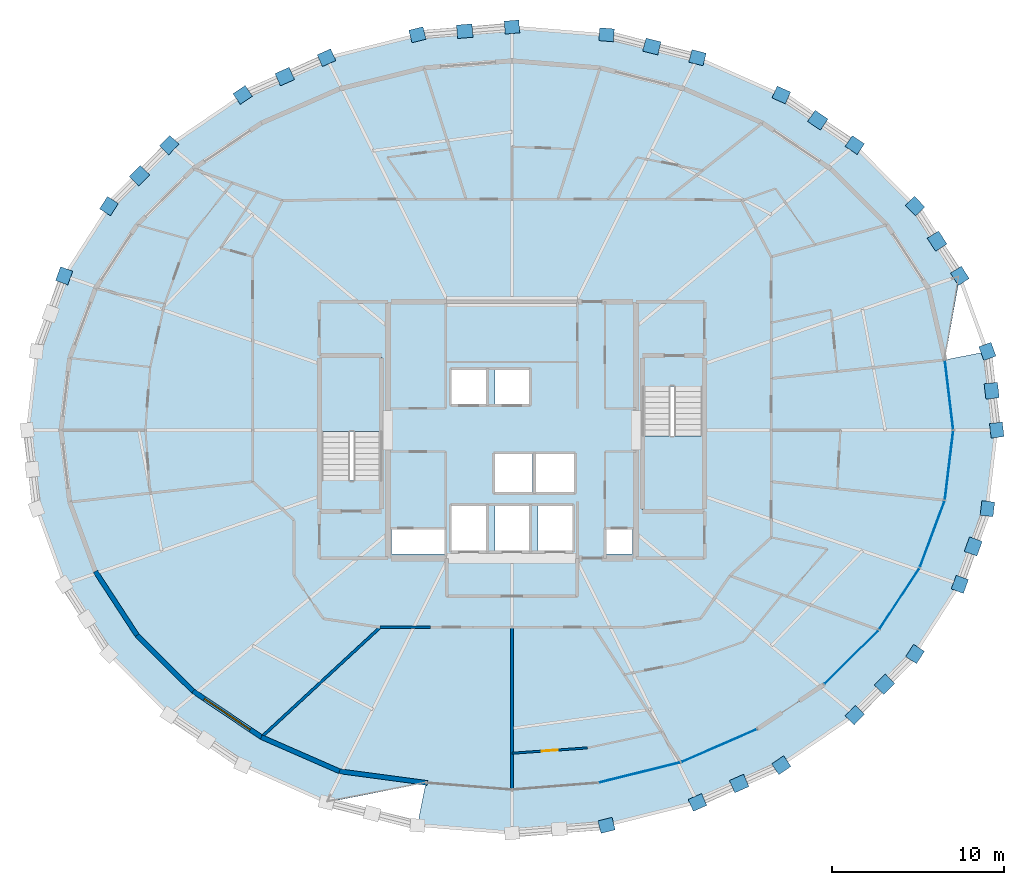
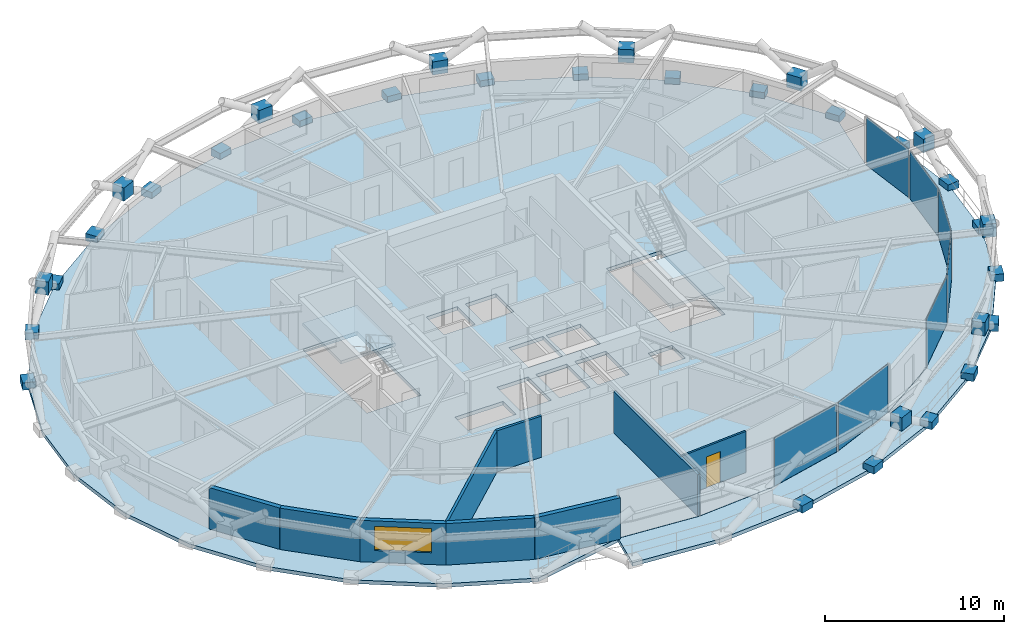
# One storey, part 13 of 19: 39 plates, 9 walls, 4 slabs, 1 door, 1 window, 2 openings, 4 elements without a shape of their own.
"""IFC4 building model written with IfcOpenShell, lengths in metres."""

from ifc_helpers import new_model, si_unit, direction, frame, frame_2d, origin, origin_2d, place, context, subcontext, project, spatial, polyline, rectangle, outline, extrude, material, layer, layer_set, type_object, element, fill, aggregate, save


model = new_model("IFC4")

# Units and contexts
model_context = context("Model", 3, precision=1e-05, world=origin(), true_north=direction((0.0, 1.0)))
body_context = subcontext(model_context, "Body", "Model", "MODEL_VIEW")
ifc_project = project(units=[si_unit("LENGTHUNIT", "METRE"), si_unit("AREAUNIT", "SQUARE_METRE"), si_unit("VOLUMEUNIT", "CUBIC_METRE"), si_unit("PLANEANGLEUNIT", "RADIAN"), si_unit("MASSUNIT", "GRAM", prefix="KILO")], contexts=[model_context])

# Site, building, storey
site_placement = place(None, origin())
site = spatial("IfcSite", under=ifc_project, at=site_placement, CompositionType="ELEMENT")
building_placement = place(site_placement, origin())
building = spatial("IfcBuilding", under=site, at=building_placement, Name="Veldorina Hangang Commons", CompositionType="ELEMENT")
storey_placement = place(building_placement, frame((0.0, 0.0, 164.0)))
storey = spatial("IfcBuildingStorey", under=building, at=storey_placement, Name="L42", CompositionType="ELEMENT", Elevation=164.0)

# Curtain wall, plates
ifc_material_1 = material(Name="Glass Low-E Triple IGU", Category="glass")
ifc_layer_1 = layer(ifc_material_1, 0.179931640625)
ifc_layer_set_1 = layer_set([ifc_layer_1], Name="Glass Low-E Triple IGU")
curtain_wall_type = type_object("IfcCurtainWallType", Name="CW-SYS-Z2", PredefinedType="NOTDEFINED", material=ifc_layer_set_1)
curtain_wall_1_placement = place(storey_placement, origin())
curtain_wall_1 = element("IfcCurtainWall", 1, at=curtain_wall_1_placement, inside=storey, type_object=curtain_wall_type, Name="L42 unitised curtain wall CW-L42-R1", PredefinedType="NOTDEFINED")
ifc_layer_2 = layer(ifc_material_1, 0.0400390625)
ifc_layer_set_2 = layer_set([ifc_layer_2], Name="Glass Low-E Triple IGU")
plate_type_1 = type_object("IfcPlateType", Name="CW-PNL-VIS", PredefinedType="CURTAIN_PANEL", material=ifc_layer_set_2)
plate_1_placement = place(storey_placement, frame((39.40185546875, 4.11572265625, 0.01513671875), z_axis=(0.0, 0.0, 1.0), x_axis=(0.970779339866, 0.239973901267, 0.0)))
plate_1 = element("IfcPlate", 2, at=plate_1_placement, type_object=plate_type_1, Name="CW-L42-R1 facet 3 glazed vision panel", PredefinedType="CURTAIN_PANEL", context=body_context, shape_type="SweptSolid", body=[
    extrude(rectangle(XDim=4.771240234375, YDim=0.0400390625, at=origin_2d()), origin(), (0.0, 0.0, 1.0), 3.280029296875),
])
plate_2_placement = place(storey_placement, frame((44.02001953125, 5.674560546875, 0.01513671875), z_axis=(0.0, 0.0, 1.0), x_axis=(0.916809351952, 0.399325196016, 0.0)))
plate_2 = element("IfcPlate", 3, at=plate_2_placement, type_object=plate_type_1, Name="CW-L42-R1 facet 4 glazed vision panel", PredefinedType="CURTAIN_PANEL", context=body_context, shape_type="SweptSolid", body=[
    extrude(rectangle(XDim=4.651611328125, YDim=0.0400390625, at=origin_2d()), origin(), (0.0, 0.0, 1.0), 3.280029296875),
])
aggregate(curtain_wall_1, [plate_1, plate_2])

curtain_wall_2_placement = place(storey_placement, origin())
curtain_wall_2 = element("IfcCurtainWall", 4, at=curtain_wall_2_placement, inside=storey, type_object=curtain_wall_type, Name="L42 unitised curtain wall CW-L42-R2", PredefinedType="NOTDEFINED")
plate_3_placement = place(storey_placement, frame((51.7109375, 10.818115234375, 0.01513671875), z_axis=(0.0, 0.0, 1.0), x_axis=(0.709607630125, 0.704597055961, 0.0)))
plate_3 = element("IfcPlate", 5, at=plate_3_placement, type_object=plate_type_1, Name="CW-L42-R2 facet 1 glazed vision panel", PredefinedType="CURTAIN_PANEL", context=body_context, shape_type="SweptSolid", body=[
    extrude(rectangle(XDim=4.310546875, YDim=0.0400390625, at=origin_2d()), origin(), (0.0, 0.0, 1.0), 3.280029296875),
])
plate_4_placement = place(storey_placement, frame((54.48779296875, 14.204833984375, 0.01513671875), z_axis=(0.0, 0.0, 1.0), x_axis=(0.54845377483, 0.836180875693, 0.0)))
plate_4 = element("IfcPlate", 6, at=plate_4_placement, type_object=plate_type_1, Name="CW-L42-R2 facet 2 glazed vision panel", PredefinedType="CURTAIN_PANEL", context=body_context, shape_type="SweptSolid", body=[
    extrude(rectangle(XDim=4.136962890625, YDim=0.0400390625, at=origin_2d()), origin(), (0.0, 0.0, 1.0), 3.280029296875),
])
plate_5_placement = place(storey_placement, frame((56.40087890625, 17.96826171875, 0.01513671875), z_axis=(0.0, 0.0, 1.0), x_axis=(0.348882842628, 0.937166347091, 0.0)))
plate_5 = element("IfcPlate", 7, at=plate_5_placement, type_object=plate_type_1, Name="CW-L42-R2 facet 3 glazed vision panel", PredefinedType="CURTAIN_PANEL", context=body_context, shape_type="SweptSolid", body=[
    extrude(rectangle(XDim=3.99951171875, YDim=0.0400390625, at=origin_2d()), origin(), (0.0, 0.0, 1.0), 3.280029296875),
])
plate_6_placement = place(storey_placement, frame((57.3759765625, 21.96337890625, 0.01513671875), z_axis=(0.0, 0.0, 1.0), x_axis=(0.119980895395, 0.992776200732, 0.0)))
plate_6 = element("IfcPlate", 8, at=plate_6_placement, type_object=plate_type_1, Name="CW-L42-R2 facet 4 glazed vision panel", PredefinedType="CURTAIN_PANEL", context=body_context, shape_type="SweptSolid", body=[
    extrude(rectangle(XDim=3.923095703125, YDim=0.0400390625, at=origin_2d()), origin(), (0.0, 0.0, 1.0), 3.280029296875),
])
plate_7_placement = place(storey_placement, frame((57.3759765625, 26.03662109375, 0.01513671875), z_axis=(0.0, 0.0, 1.0), x_axis=(-0.119980895395, 0.992776200732, 0.0)))
plate_7 = element("IfcPlate", 9, at=plate_7_placement, type_object=plate_type_1, Name="CW-L42-R2 facet 5 glazed vision panel", PredefinedType="CURTAIN_PANEL", context=body_context, shape_type="SweptSolid", body=[
    extrude(rectangle(XDim=3.923095703125, YDim=0.0400390625, at=origin_2d()), origin(), (0.0, 0.0, 1.0), 3.280029296875),
])
aggregate(curtain_wall_2, [plate_3, plate_4, plate_5, plate_6, plate_7])

# Plates
ifc_material_2 = material(Name="Steel SM460-TMC", Category="steel")
ifc_layer_3 = layer(ifc_material_2, 0.035888671875)
ifc_layer_set_3 = layer_set([ifc_layer_3], Name="Steel SM460-TMC")
plate_type_2 = type_object("IfcPlateType", Name="PL-STAR-36", PredefinedType="USERDEFINED", material=ifc_layer_set_3)
plate_8_placement = place(storey_placement, frame((60.14208984375, 24.0, -0.090087890625), z_axis=(0.0, 0.0, 1.0), x_axis=(-0.117624058582, 0.993058196101, 0.0)))
element("IfcPlate", 10, at=plate_8_placement, inside=storey, type_object=plate_type_2, Name="L42 diagrid star-node gusset plate 00", ObjectType="GUSSET PLATE", PredefinedType="USERDEFINED", context=body_context, shape_type="SweptSolid", body=[
    extrude(rectangle(XDim=0.85009765625, YDim=0.75, at=origin_2d()), origin(), (0.0, 0.0, 1.0), 0.5),
])
plate_9_placement = place(storey_placement, frame((59.8486328125, 26.281005859375, 1.351318359375), z_axis=(0.0, 0.0, 1.0), x_axis=(-0.117624058582, 0.993058196101, 0.0)))
element("IfcPlate", 11, at=plate_9_placement, inside=storey, type_object=plate_type_2, Name="L42 diagrid X-crossing star-node gusset plate 00", ObjectType="GUSSET PLATE", PredefinedType="USERDEFINED", context=body_context, shape_type="SweptSolid", body=[
    extrude(rectangle(XDim=0.89990234375, YDim=0.780029296875, at=origin_2d()), origin(), (0.0, 0.0, 1.0), 0.89990234375),
])
for number, where, z_axis, x_axis, name in (
    (12, (59.6015625, 28.56494140625, -0.090087890625), (0.0, 0.0, 1.0), (-0.342741674532, 0.93942969111, 0.0), "L42 diagrid star-node gusset plate 01"),
    (13, (58.0, 32.95458984375, -0.090087890625), (0.0, 0.0, 1.0), (-0.540739587879, 0.841190048741, 0.0), "L42 diagrid star-node gusset plate 02"),
):
    element("IfcPlate", number, at=place(storey_placement, frame(where, z_axis=z_axis, x_axis=x_axis)), inside=storey, type_object=plate_type_2, Name=name, ObjectType="GUSSET PLATE", PredefinedType="USERDEFINED", context=body_context, shape_type="SweptSolid", body=[
        extrude(rectangle(XDim=0.85009765625, YDim=0.75, at=origin_2d()), origin(), (0.0, 0.0, 1.0), 0.5),
    ])
plate_10_placement = place(storey_placement, frame((56.67919921875, 34.9697265625, 1.351318359375), z_axis=(0.0, 0.0, 1.0), x_axis=(-0.540739587879, 0.841190048741, 0.0)))
element("IfcPlate", 14, at=plate_10_placement, inside=storey, type_object=plate_type_2, Name="L42 diagrid X-crossing star-node gusset plate 02", ObjectType="GUSSET PLATE", PredefinedType="USERDEFINED", context=body_context, shape_type="SweptSolid", body=[
    extrude(rectangle(XDim=0.89990234375, YDim=0.780029296875, at=origin_2d()), origin(), (0.0, 0.0, 1.0), 0.89990234375),
])
for number, where, z_axis, x_axis, name in (
    (15, (55.3994140625, 37.0, -0.090087890625), (0.0, 0.0, 1.0), (-0.70248850939, 0.711695085114, 0.0), "L42 diagrid star-node gusset plate 03"),
    (16, (51.8994140625, 40.5458984375, -0.090087890625), (0.0, 0.0, 1.0), (-0.825999928064, 0.563670221706, 0.0), "L42 diagrid star-node gusset plate 04"),
):
    element("IfcPlate", number, at=place(storey_placement, frame(where, z_axis=z_axis, x_axis=x_axis)), inside=storey, type_object=plate_type_2, Name=name, ObjectType="GUSSET PLATE", PredefinedType="USERDEFINED", context=body_context, shape_type="SweptSolid", body=[
        extrude(rectangle(XDim=0.85009765625, YDim=0.75, at=origin_2d()), origin(), (0.0, 0.0, 1.0), 0.5),
    ])
plate_11_placement = place(storey_placement, frame((49.75244140625, 41.988525390625, 1.3515625), z_axis=(0.0, 0.0, 1.0), x_axis=(-0.825999928064, 0.563670221706, 0.0)))
element("IfcPlate", 17, at=plate_11_placement, inside=storey, type_object=plate_type_2, Name="L42 diagrid X-crossing star-node gusset plate 04", ObjectType="GUSSET PLATE", PredefinedType="USERDEFINED", context=body_context, shape_type="SweptSolid", body=[
    extrude(rectangle(XDim=0.89990234375, YDim=0.780029296875, at=origin_2d()), origin(), (0.0, 0.0, 1.0), 0.89990234375),
])
for number, where, z_axis, x_axis, name in (
    (18, (47.635009765625, 43.4560546875, -0.090087890625), (0.0, 0.0, 1.0), (-0.913815014661, 0.406130667373, 0.0), "L42 diagrid star-node gusset plate 05"),
    (19, (42.76953125, 45.618408203125, -0.090087890625), (0.0, 0.0, 1.0), (-0.969633446565, 0.244562833034, 0.0), "L42 diagrid star-node gusset plate 06"),
):
    element("IfcPlate", number, at=place(storey_placement, frame(where, z_axis=z_axis, x_axis=x_axis)), inside=storey, type_object=plate_type_2, Name=name, ObjectType="GUSSET PLATE", PredefinedType="USERDEFINED", context=body_context, shape_type="SweptSolid", body=[
        extrude(rectangle(XDim=0.85009765625, YDim=0.75, at=origin_2d()), origin(), (0.0, 0.0, 1.0), 0.5),
    ])
plate_12_placement = place(storey_placement, frame((40.123291015625, 46.2685546875, 1.3515625), z_axis=(0.0, 0.0, 1.0), x_axis=(-0.969633446565, 0.244562833034, 0.0)))
element("IfcPlate", 20, at=plate_12_placement, inside=storey, type_object=plate_type_2, Name="L42 diagrid X-crossing star-node gusset plate 06", ObjectType="GUSSET PLATE", PredefinedType="USERDEFINED", context=body_context, shape_type="SweptSolid", body=[
    extrude(rectangle(XDim=0.89990234375, YDim=0.780029296875, at=origin_2d()), origin(), (0.0, 0.0, 1.0), 0.89990234375),
])
for number, where, z_axis, x_axis, name in (
    (21, (37.490234375, 46.949951171875, -0.090087890625), (0.0, 0.0, 1.0), (-0.996664503857, 0.081608006658, 0.0), "L42 diagrid star-node gusset plate 07"),
    (22, (32.0, 47.3994140625, -0.090087890625), (0.0, 0.0, 1.0), (-0.996664503857, -0.081608006658, 0.0), "L42 diagrid star-node gusset plate 08"),
):
    element("IfcPlate", number, at=place(storey_placement, frame(where, z_axis=z_axis, x_axis=x_axis)), inside=storey, type_object=plate_type_2, Name=name, ObjectType="GUSSET PLATE", PredefinedType="USERDEFINED", context=body_context, shape_type="SweptSolid", body=[
        extrude(rectangle(XDim=0.85009765625, YDim=0.75, at=origin_2d()), origin(), (0.0, 0.0, 1.0), 0.5),
    ])
plate_13_placement = place(storey_placement, frame((29.257080078125, 47.158447265625, 1.3515625), z_axis=(0.0, 0.0, 1.0), x_axis=(-0.996664503857, -0.081608006658, 0.0)))
element("IfcPlate", 23, at=plate_13_placement, inside=storey, type_object=plate_type_2, Name="L42 diagrid X-crossing star-node gusset plate 08", ObjectType="GUSSET PLATE", PredefinedType="USERDEFINED", context=body_context, shape_type="SweptSolid", body=[
    extrude(rectangle(XDim=0.89990234375, YDim=0.780029296875, at=origin_2d()), origin(), (0.0, 0.0, 1.0), 0.89990234375),
])
for number, where, z_axis, x_axis, name in (
    (24, (26.509765625, 46.949951171875, -0.090087890625), (0.0, 0.0, 1.0), (-0.969633446565, -0.244562833034, 0.0), "L42 diagrid star-node gusset plate 09"),
    (25, (21.23046875, 45.618408203125, -0.090087890625), (0.0, 0.0, 1.0), (-0.913815014661, -0.406130667373, 0.0), "L42 diagrid star-node gusset plate 10"),
):
    element("IfcPlate", number, at=place(storey_placement, frame(where, z_axis=z_axis, x_axis=x_axis)), inside=storey, type_object=plate_type_2, Name=name, ObjectType="GUSSET PLATE", PredefinedType="USERDEFINED", context=body_context, shape_type="SweptSolid", body=[
        extrude(rectangle(XDim=0.85009765625, YDim=0.75, at=origin_2d()), origin(), (0.0, 0.0, 1.0), 0.5),
    ])
plate_14_placement = place(storey_placement, frame((18.808837890625, 44.522705078125, 1.3515625), z_axis=(0.0, 0.0, 1.0), x_axis=(-0.913815014661, -0.406130667373, 0.0)))
element("IfcPlate", 26, at=plate_14_placement, inside=storey, type_object=plate_type_2, Name="L42 diagrid X-crossing star-node gusset plate 10", ObjectType="GUSSET PLATE", PredefinedType="USERDEFINED", context=body_context, shape_type="SweptSolid", body=[
    extrude(rectangle(XDim=0.89990234375, YDim=0.780029296875, at=origin_2d()), origin(), (0.0, 0.0, 1.0), 0.89990234375),
])
for number, where, z_axis, x_axis, name in (
    (27, (16.364990234375, 43.4560546875, -0.090087890625), (0.0, 0.0, 1.0), (-0.825999928064, -0.563670221706, 0.0), "L42 diagrid star-node gusset plate 11"),
    (28, (12.1005859375, 40.5458984375, -0.090087890625), (0.0, 0.0, 1.0), (-0.70248850939, -0.711695085114, 0.0), "L42 diagrid star-node gusset plate 12"),
):
    element("IfcPlate", number, at=place(storey_placement, frame(where, z_axis=z_axis, x_axis=x_axis)), inside=storey, type_object=plate_type_2, Name=name, ObjectType="GUSSET PLATE", PredefinedType="USERDEFINED", context=body_context, shape_type="SweptSolid", body=[
        extrude(rectangle(XDim=0.85009765625, YDim=0.75, at=origin_2d()), origin(), (0.0, 0.0, 1.0), 0.5),
    ])
plate_15_placement = place(storey_placement, frame((10.368896484375, 38.762451171875, 1.3515625), z_axis=(0.0, 0.0, 1.0), x_axis=(-0.70248850939, -0.711695085114, 0.0)))
element("IfcPlate", 29, at=plate_15_placement, inside=storey, type_object=plate_type_2, Name="L42 diagrid X-crossing star-node gusset plate 12", ObjectType="GUSSET PLATE", PredefinedType="USERDEFINED", context=body_context, shape_type="SweptSolid", body=[
    extrude(rectangle(XDim=0.89990234375, YDim=0.780029296875, at=origin_2d()), origin(), (0.0, 0.0, 1.0), 0.89990234375),
])
for number, where, z_axis, x_axis, name in (
    (30, (8.6005859375, 37.0, -0.090087890625), (0.0, 0.0, 1.0), (-0.540739587879, -0.841190048741, 0.0), "L42 diagrid star-node gusset plate 13"),
    (31, (6.0, 32.95458984375, -0.090087890625), (0.0, 0.0, 1.0), (-0.342741674532, -0.93942969111, 0.0), "L42 diagrid star-node gusset plate 14"),
    (32, (37.490234375, 1.050048828125, -0.090087890625), (0.0, 0.0, 1.0), (0.969633446565, 0.244562833034, 0.0), "L42 diagrid star-node gusset plate 25"),
    (33, (42.76953125, 2.381591796875, -0.090087890625), (0.0, 0.0, 1.0), (0.913815014661, 0.406130667373, 0.0), "L42 diagrid star-node gusset plate 26"),
):
    element("IfcPlate", number, at=place(storey_placement, frame(where, z_axis=z_axis, x_axis=x_axis)), inside=storey, type_object=plate_type_2, Name=name, ObjectType="GUSSET PLATE", PredefinedType="USERDEFINED", context=body_context, shape_type="SweptSolid", body=[
        extrude(rectangle(XDim=0.85009765625, YDim=0.75, at=origin_2d()), origin(), (0.0, 0.0, 1.0), 0.5),
    ])
plate_16_placement = place(storey_placement, frame((45.191162109375, 3.477294921875, 1.3515625), z_axis=(0.0, 0.0, 1.0), x_axis=(0.913815014661, 0.406130667373, 0.0)))
element("IfcPlate", 34, at=plate_16_placement, inside=storey, type_object=plate_type_2, Name="L42 diagrid X-crossing star-node gusset plate 26", ObjectType="GUSSET PLATE", PredefinedType="USERDEFINED", context=body_context, shape_type="SweptSolid", body=[
    extrude(rectangle(XDim=0.89990234375, YDim=0.780029296875, at=origin_2d()), origin(), (0.0, 0.0, 1.0), 0.89990234375),
])
for number, where, z_axis, x_axis, name in (
    (35, (47.635009765625, 4.5439453125, -0.090087890625), (0.0, 0.0, 1.0), (0.825999928064, 0.563670221706, 0.0), "L42 diagrid star-node gusset plate 27"),
    (36, (51.8994140625, 7.4541015625, -0.090087890625), (0.0, 0.0, 1.0), (0.70248850939, 0.711695085114, 0.0), "L42 diagrid star-node gusset plate 28"),
):
    element("IfcPlate", number, at=place(storey_placement, frame(where, z_axis=z_axis, x_axis=x_axis)), inside=storey, type_object=plate_type_2, Name=name, ObjectType="GUSSET PLATE", PredefinedType="USERDEFINED", context=body_context, shape_type="SweptSolid", body=[
        extrude(rectangle(XDim=0.85009765625, YDim=0.75, at=origin_2d()), origin(), (0.0, 0.0, 1.0), 0.5),
    ])
plate_17_placement = place(storey_placement, frame((53.631103515625, 9.237548828125, 1.3515625), z_axis=(0.0, 0.0, 1.0), x_axis=(0.70248850939, 0.711695085114, 0.0)))
element("IfcPlate", 37, at=plate_17_placement, inside=storey, type_object=plate_type_2, Name="L42 diagrid X-crossing star-node gusset plate 28", ObjectType="GUSSET PLATE", PredefinedType="USERDEFINED", context=body_context, shape_type="SweptSolid", body=[
    extrude(rectangle(XDim=0.89990234375, YDim=0.780029296875, at=origin_2d()), origin(), (0.0, 0.0, 1.0), 0.89990234375),
])
for number, where, z_axis, x_axis, name in (
    (38, (55.3994140625, 11.0, -0.090087890625), (0.0, 0.0, 1.0), (0.540739587879, 0.841190048741, 0.0), "L42 diagrid star-node gusset plate 29"),
    (39, (58.0, 15.04541015625, -0.090087890625), (0.0, 0.0, 1.0), (0.342741674532, 0.93942969111, 0.0), "L42 diagrid star-node gusset plate 30"),
):
    element("IfcPlate", number, at=place(storey_placement, frame(where, z_axis=z_axis, x_axis=x_axis)), inside=storey, type_object=plate_type_2, Name=name, ObjectType="GUSSET PLATE", PredefinedType="USERDEFINED", context=body_context, shape_type="SweptSolid", body=[
        extrude(rectangle(XDim=0.85009765625, YDim=0.75, at=origin_2d()), origin(), (0.0, 0.0, 1.0), 0.5),
    ])
plate_18_placement = place(storey_placement, frame((58.7783203125, 17.2451171875, 1.351318359375), z_axis=(0.0, 0.0, 1.0), x_axis=(0.342741674532, 0.93942969111, 0.0)))
element("IfcPlate", 40, at=plate_18_placement, inside=storey, type_object=plate_type_2, Name="L42 diagrid X-crossing star-node gusset plate 30", ObjectType="GUSSET PLATE", PredefinedType="USERDEFINED", context=body_context, shape_type="SweptSolid", body=[
    extrude(rectangle(XDim=0.89990234375, YDim=0.780029296875, at=origin_2d()), origin(), (0.0, 0.0, 1.0), 0.89990234375),
])
plate_19_placement = place(storey_placement, frame((59.6015625, 19.43505859375, -0.090087890625), z_axis=(0.0, 0.0, 1.0), x_axis=(0.117624058582, 0.993058196101, 0.0)))
element("IfcPlate", 41, at=plate_19_placement, inside=storey, type_object=plate_type_2, Name="L42 diagrid star-node gusset plate 31", ObjectType="GUSSET PLATE", PredefinedType="USERDEFINED", context=body_context, shape_type="SweptSolid", body=[
    extrude(rectangle(XDim=0.85009765625, YDim=0.75, at=origin_2d()), origin(), (0.0, 0.0, 1.0), 0.5),
])

# Slabs
ifc_material_3 = material(Name="Concrete C40/50", Category="concrete")
ifc_layer_4 = layer(ifc_material_3, 0.25)
ifc_layer_set_4 = layer_set([ifc_layer_4], Name="Concrete C40/50")
slab_type_1 = type_object("IfcSlabType", Name="SL-FLR-250", PredefinedType="FLOOR", material=ifc_layer_set_4)
slab_1_placement = place(storey_placement, frame((0.0, 0.0, -0.25)))
element("IfcSlab", 42, at=slab_1_placement, inside=storey, type_object=slab_type_1, Name="L42 tower structural floor slab", PredefinedType="FLOOR", context=body_context, shape_type="SweptSolid", body=[
    extrude(outline(polyline([(57.622314453125, 24.0), (57.1298828125, 28.073486328125), (58.0, 32.95458984375), (55.3994140625, 37.0), (51.8994140625, 40.5458984375), (47.635009765625, 43.4560546875), (42.76953125, 45.618408203125), (37.490234375, 46.949951171875), (32.0, 47.3994140625), (26.509765625, 46.949951171875), (21.23046875, 45.618408203125), (16.364990234375, 43.4560546875), (12.1005859375, 40.5458984375), (8.6005859375, 37.0), (6.0, 32.95458984375), (4.3984375, 28.56494140625), (3.85791015625, 24.0), (4.3984375, 19.43505859375), (6.0, 15.04541015625), (8.6005859375, 11.0), (12.1005859375, 7.4541015625), (16.364990234375, 4.5439453125), (21.23046875, 2.381591796875), (27.00146484375, 3.521728515625), (32.0, 3.12060546875), (36.99853515625, 3.521728515625), (41.80517578125, 4.7099609375), (46.23486328125, 6.639404296875), (50.11767578125, 9.236083984375), (53.30419921875, 12.39990234375), (55.671875, 16.009765625), (57.1298828125, 19.926513671875), (57.622314453125, 24.0)]), holes=[polyline([(20.949951171875, 21.05810546875), (20.949951171875, 28.199951171875), (24.449951171875, 28.199951171875), (24.449951171875, 21.05810546875), (20.949951171875, 21.05810546875)]), polyline([(43.050048828125, 26.5419921875), (43.050048828125, 19.39990234375), (39.550048828125, 19.39990234375), (39.550048828125, 26.5419921875), (43.050048828125, 26.5419921875)]), polyline([(28.5, 27.5), (30.5, 27.5), (30.5, 25.5), (28.5, 25.5), (28.5, 27.5)]), polyline([(31.0, 27.5), (33.0, 27.5), (33.0, 25.5), (31.0, 25.5), (31.0, 27.5)]), polyline([(31.0, 22.60009765625), (33.199951171875, 22.60009765625), (33.199951171875, 20.39990234375), (31.0, 20.39990234375), (31.0, 22.60009765625)]), polyline([(33.39990234375, 22.60009765625), (35.60009765625, 22.60009765625), (35.60009765625, 20.39990234375), (33.39990234375, 20.39990234375), (33.39990234375, 22.60009765625)]), polyline([(28.5, 19.60009765625), (30.5, 19.60009765625), (30.5, 17.0), (28.5, 17.0), (28.5, 19.60009765625)]), polyline([(31.0, 19.60009765625), (33.0, 19.60009765625), (33.0, 17.0), (31.0, 17.0), (31.0, 19.60009765625)]), polyline([(33.5, 19.60009765625), (35.5, 19.60009765625), (35.5, 17.0), (33.5, 17.0), (33.5, 19.60009765625)]), polyline([(25.0, 18.25), (28.10009765625, 18.25), (28.10009765625, 16.800048828125), (25.0, 16.800048828125), (25.0, 18.25)]), polyline([(37.449951171875, 18.25), (39.0, 18.25), (39.0, 16.800048828125), (37.449951171875, 16.800048828125), (37.449951171875, 18.25)])]), origin(), (0.0, 0.0, 1.0), 0.25),
])
slab_2_placement = place(storey_placement, frame((0.0, 0.0, -0.25)))
element("IfcSlab", 43, at=slab_2_placement, inside=storey, type_object=slab_type_1, Name="L42 sky-garden loggia outdoor slab", PredefinedType="FLOOR", context=body_context, shape_type="SweptSolid", body=[
    extrude(outline(polyline([(59.6015625, 28.56494140625), (60.14208984375, 24.0), (59.6015625, 19.43505859375), (58.0, 15.04541015625), (55.3994140625, 11.0), (51.8994140625, 7.4541015625), (47.635009765625, 4.5439453125), (42.76953125, 2.381591796875), (37.490234375, 1.050048828125), (32.0, 0.6005859375), (26.509765625, 1.050048828125), (26.998291015625, 3.505859375), (27.002197265625, 3.506591796875), (31.998779296875, 3.10546875), (32.0, 3.10546875), (32.001220703125, 3.10546875), (36.999755859375, 3.506591796875), (37.0009765625, 3.5068359375), (37.002197265625, 3.507080078125), (41.808837890625, 4.6953125), (41.81005859375, 4.69580078125), (41.811279296875, 4.696044921875), (46.240966796875, 6.62548828125), (46.2421875, 6.626220703125), (46.2431640625, 6.626708984375), (50.1259765625, 9.223388671875), (50.127197265625, 9.224365234375), (50.128173828125, 9.225341796875), (53.314697265625, 12.389404296875), (53.315673828125, 12.390380859375), (53.316650390625, 12.391845703125), (55.684326171875, 16.001708984375), (55.685302734375, 16.0029296875), (55.685791015625, 16.004638671875), (57.14404296875, 19.92138671875), (57.14453125, 19.923095703125), (57.144775390625, 19.9248046875), (57.63720703125, 23.998291015625), (57.63720703125, 24.0), (57.63720703125, 24.001708984375), (57.14501953125, 28.072998046875), (57.145751953125, 28.076416015625), (59.6015625, 28.56494140625)])), origin(), (0.0, 0.0, 1.0), 0.25),
])

# Stair, slab
stair_type = type_object("IfcStairType", Name="STR-DOG-1650-20R", PredefinedType="HALF_TURN_STAIR", material=ifc_material_3)
stair_1_placement = place(storey_placement, origin())
stair_1 = element("IfcStair", 44, at=stair_1_placement, inside=storey, type_object=stair_type, Name="L42 Exit stair ST-1", PredefinedType="HALF_TURN_STAIR")
ifc_layer_5 = layer(ifc_material_3, 0.199951171875)
ifc_layer_set_5 = layer_set([ifc_layer_5], Name="Concrete C40/50")
slab_type_2 = type_object("IfcSlabType", Name="SL-LND-200", PredefinedType="LANDING", material=ifc_layer_set_5)
slab_3_placement = place(storey_placement, frame((0.0, 0.0, 1.60009765625)))
slab_3 = element("IfcSlab", 45, at=slab_3_placement, type_object=slab_type_2, Name="ST-1 landing 1", PredefinedType="LANDING", context=body_context, shape_type="SweptSolid", body=[
    extrude(outline(polyline([(24.449951171875, 23.929931640625), (24.449951171875, 28.199951171875), (20.949951171875, 28.199951171875), (20.949951171875, 23.929931640625), (24.449951171875, 23.929931640625)])), origin(), (0.0, 0.0, 1.0), 0.199951171875),
])
aggregate(stair_1, [slab_3])

stair_2_placement = place(storey_placement, origin())
stair_2 = element("IfcStair", 46, at=stair_2_placement, inside=storey, type_object=stair_type, Name="L42 Exit stair ST-2", PredefinedType="HALF_TURN_STAIR")
slab_4_placement = place(storey_placement, frame((0.0, 0.0, 1.60009765625)))
slab_4 = element("IfcSlab", 47, at=slab_4_placement, type_object=slab_type_2, Name="ST-2 landing 1", PredefinedType="LANDING", context=body_context, shape_type="SweptSolid", body=[
    extrude(outline(polyline([(39.550048828125, 23.669921875), (39.550048828125, 19.39990234375), (43.050048828125, 19.39990234375), (43.050048828125, 23.669921875), (39.550048828125, 23.669921875)])), origin(), (0.0, 0.0, 1.0), 0.199951171875),
])
aggregate(stair_2, [slab_4])

# Walls
ifc_material_4 = material(Name="Stone Roman Travertine", Category="masonry")
ifc_layer_6 = layer(ifc_material_4, 0.280029296875)
ifc_layer_set_6 = layer_set([ifc_layer_6], Name="Stone Roman Travertine")
wall_type_1 = type_object("IfcWallType", Name="EW-TRAV-280", PredefinedType="STANDARD", material=ifc_layer_set_6)
wall_1_placement = place(storey_placement, frame((7.810791015625, 15.79541015625, 0.0), z_axis=(0.0, 0.0, 1.0), x_axis=(0.546604237051, -0.837391072342, 0.0)))
element("IfcWall", 48, at=wall_1_placement, inside=storey, type_object=wall_type_1, Name="L42 travertine facade wall 18", PredefinedType="STANDARD", context=body_context, shape_type="SweptSolid", body=[
    extrude(rectangle(XDim=4.42626953125, YDim=0.280029296875, at=frame_2d((2.213134765625, 0.0))), origin(), (0.0, 0.0, 1.0), 2.820068359375),
])
wall_2_placement = place(storey_placement, frame((10.230224609375, 12.0888671875, 0.0), z_axis=(0.0, 0.0, 1.0), x_axis=(0.70790250433, -0.706310161589, 0.0)))
element("IfcWall", 49, at=wall_2_placement, inside=storey, type_object=wall_type_1, Name="L42 travertine facade wall 19", PredefinedType="STANDARD", context=body_context, shape_type="SweptSolid", body=[
    extrude(rectangle(XDim=4.599609375, YDim=0.280029296875, at=frame_2d((2.2998046875, 0.0))), origin(), (0.0, 0.0, 1.0), 2.820068359375),
])

# Wall, opening, window
wall_3_placement = place(storey_placement, frame((13.486328125, 8.840087890625, 0.0), z_axis=(0.0, 0.0, 1.0), x_axis=(0.829970169982, -0.55780777777, 0.0)))
wall_3 = element("IfcWall", 50, at=wall_3_placement, inside=storey, type_object=wall_type_1, Name="L42 travertine facade wall 20", PredefinedType="STANDARD", context=body_context, shape_type="SweptSolid", body=[
    extrude(rectangle(XDim=4.7802734375, YDim=0.280029296875, at=frame_2d((2.39013671875, 0.0))), origin(), (0.0, 0.0, 1.0), 2.820068359375),
])
opening_1_placement = place(wall_3_placement, frame((0.7900390625, 0.0, 0.800048828125)))
opening_1 = element("IfcOpeningElement", 51, at=opening_1_placement, cuts=wall_3, Name="Opening W-01", PredefinedType="OPENING", context=body_context, shape_type="SweptSolid", body=[
    extrude(rectangle(XDim=3.199951171875, YDim=1.64990234375, at=frame_2d((1.60009765625, 0.824951171875))), frame((0.0, 0.14990234375, 0.0), z_axis=(0.0, -1.0, 0.0), x_axis=(1.0, 0.0, 0.0)), (0.0, 0.0, 1.0), 0.300048828125),
])
window_type = type_object("IfcWindowType", Name="WIN-TWR-3200", PartitioningType="SINGLE_PANEL", PredefinedType="WINDOW", material=ifc_material_1)
window_placement = place(opening_1_placement, origin())
window = element("IfcWindow", 52, at=window_placement, inside=storey, type_object=window_type, Name="L42 facade window 20", OverallHeight=1.64990234375, OverallWidth=3.199951171875, PartitioningType="SINGLE_PANEL", PredefinedType="WINDOW", context=body_context, shape_type="SweptSolid", body=[
    extrude(rectangle(XDim=3.199951171875, YDim=1.64990234375, at=frame_2d((1.60009765625, 0.824951171875))), frame((0.0, 0.030029296875, 0.0), z_axis=(0.0, -1.0, 0.0), x_axis=(1.0, 0.0, 0.0)), (0.0, 0.0, 1.0), 0.06005859375),
])
fill(opening_1, window)

# Walls
wall_4_placement = place(storey_placement, frame((17.453857421875, 6.173583984375, 0.0), z_axis=(0.0, 0.0, 1.0), x_axis=(0.916097223494, -0.400956203476, 0.0)))
element("IfcWall", 53, at=wall_4_placement, inside=storey, type_object=wall_type_1, Name="L42 travertine facade wall 21", PredefinedType="STANDARD", context=body_context, shape_type="SweptSolid", body=[
    extrude(rectangle(XDim=4.941162109375, YDim=0.280029296875, at=frame_2d((2.470703125, 0.0))), origin(), (0.0, 0.0, 1.0), 2.820068359375),
])
wall_5_placement = place(storey_placement, frame((21.98046875, 4.1923828125, 0.0), z_axis=(0.0, 0.0, 1.0), x_axis=(0.991196038101, -0.132402469964, 0.0)))
element("IfcWall", 54, at=wall_5_placement, inside=storey, type_object=wall_type_1, Name="L42 travertine facade wall 22", PredefinedType="STANDARD", context=body_context, shape_type="SweptSolid", body=[
    extrude(rectangle(XDim=5.157470703125, YDim=0.280029296875, at=frame_2d((2.57861328125, 0.0))), origin(), (0.0, 0.0, 1.0), 2.820068359375),
])
ifc_material_5 = material(Name="Gypsum Fire-Rated Twin Stud Wall", Category="gypsum")
ifc_layer_7 = layer(ifc_material_5, 0.159912109375)
ifc_layer_set_7 = layer_set([ifc_layer_7], Name="Gypsum Fire-Rated Twin Stud Wall")
wall_type_2 = type_object("IfcWallType", Name="WL-FIRE-160", PredefinedType="SOLIDWALL", material=ifc_layer_set_7)
wall_6_placement = place(storey_placement, frame((24.349365234375, 12.550048828125, 0.0), z_axis=(0.0, 0.0, 1.0), x_axis=(1.0, 0.0, 0.0)))
element("IfcWall", 55, at=wall_6_placement, inside=storey, type_object=wall_type_2, Name="L42 U-corridor outer wall 21 065", PredefinedType="SOLIDWALL", context=body_context, shape_type="SweptSolid", body=[
    extrude(rectangle(XDim=2.907958984375, YDim=0.159912109375, at=frame_2d((1.4541015625, 0.0))), origin(), (0.0, 0.0, 1.0), 2.800048828125),
])
wall_7_placement = place(storey_placement, frame((24.349365234375, 12.550048828125, 0.0), z_axis=(0.0, 0.0, 1.0), x_axis=(-0.734202998006, -0.67893000944, 0.0)))
element("IfcWall", 56, at=wall_7_placement, inside=storey, type_object=wall_type_2, Name="L42 Unit party wall 21 114", PredefinedType="SOLIDWALL", context=body_context, shape_type="SweptSolid", body=[
    extrude(rectangle(XDim=9.342041015625, YDim=0.159912109375, at=frame_2d((4.6708984375, 0.0))), origin(), (0.0, 0.0, 1.0), 2.800048828125),
])
wall_8_placement = place(storey_placement, frame((32.0, 12.550048828125, 0.0), z_axis=(0.0, 0.0, 1.0), x_axis=(0.0, -1.0, 0.0)))
element("IfcWall", 57, at=wall_8_placement, inside=storey, type_object=wall_type_2, Name="L42 Unit party wall 24 115", PredefinedType="SOLIDWALL", context=body_context, shape_type="SweptSolid", body=[
    extrude(rectangle(XDim=9.379638671875, YDim=0.159912109375, at=frame_2d((4.68994140625, 0.0))), origin(), (0.0, 0.0, 1.0), 2.800048828125),
])

# Wall, opening, door
ifc_material_6 = material(Name="Gypsum Acoustic Stud Partition", Category="gypsum")
ifc_layer_8 = layer(ifc_material_6, 0.1201171875)
ifc_layer_set_8 = layer_set([ifc_layer_8], Name="Gypsum Acoustic Stud Partition")
wall_type_3 = type_object("IfcWallType", Name="WL-PART-120", PredefinedType="PARTITIONING", material=ifc_layer_set_8)
wall_9_placement = place(storey_placement, frame((32.0, 5.237060546875, 0.0), z_axis=(0.0, 0.0, 1.0), x_axis=(0.997496872259, 0.070710606235, 0.0)))
wall_9 = element("IfcWall", 58, at=wall_9_placement, inside=storey, type_object=wall_type_3, Name="L42 Laundry split 0 116", PredefinedType="PARTITIONING", context=body_context, shape_type="SweptSolid", body=[
    extrude(rectangle(XDim=4.398681640625, YDim=0.1201171875, at=frame_2d((2.19921875, 0.0))), origin(), (0.0, 0.0, 1.0), 2.800048828125),
])
opening_2_placement = place(wall_9_placement, frame((1.724365234375, 0.0, 0.0)))
opening_2 = element("IfcOpeningElement", 59, at=opening_2_placement, cuts=wall_9, Name="Opening D-02", PredefinedType="OPENING", context=body_context, shape_type="SweptSolid", body=[
    extrude(rectangle(XDim=0.949951171875, YDim=2.10009765625, at=frame_2d((0.47509765625, 1.050048828125))), frame((0.0, 0.070068359375, 0.0), z_axis=(0.0, -1.0, 0.0), x_axis=(1.0, 0.0, 0.0)), (0.0, 0.0, 1.0), 0.14013671875),
])
ifc_material_7 = material(Name="Timber Solid Core Acoustic", Category="wood")
door_type = type_object("IfcDoorType", Name="DR-INT-950", OperationType="SINGLE_SWING_LEFT", PredefinedType="DOOR", material=ifc_material_7)
door_placement = place(opening_2_placement, origin())
door = element("IfcDoor", 60, at=door_placement, inside=storey, type_object=door_type, Name="L42 Resident laundry inner door 044", OperationType="SINGLE_SWING_RIGHT", OverallHeight=2.10009765625, OverallWidth=0.949951171875, PredefinedType="DOOR", context=body_context, shape_type="SweptSolid", body=[
    extrude(rectangle(XDim=0.949951171875, YDim=2.10009765625, at=frame_2d((0.47509765625, 1.050048828125))), frame((0.0, 0.02490234375, 0.0), z_axis=(0.0, -1.0, 0.0), x_axis=(1.0, 0.0, 0.0)), (0.0, 0.0, 1.0), 0.050048828125),
])
fill(opening_2, door)

save(model, "model.ifc")
